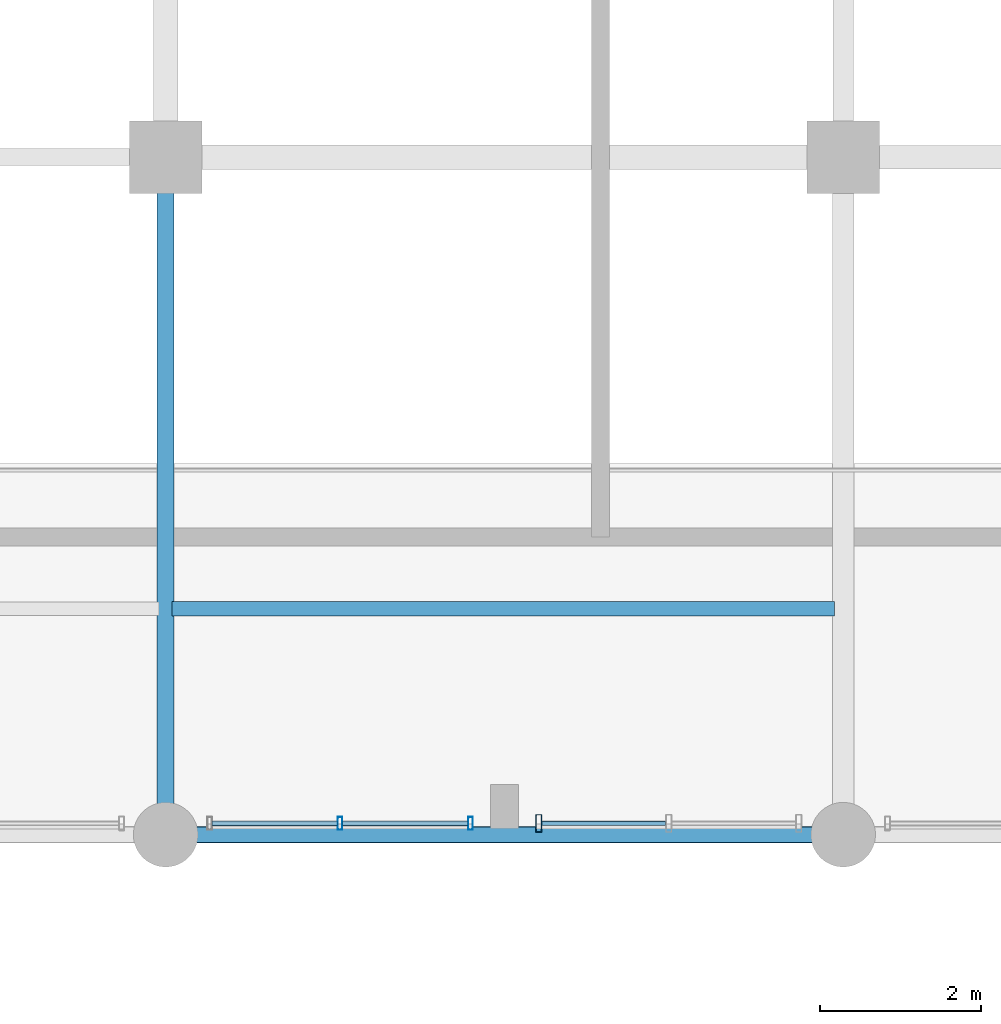
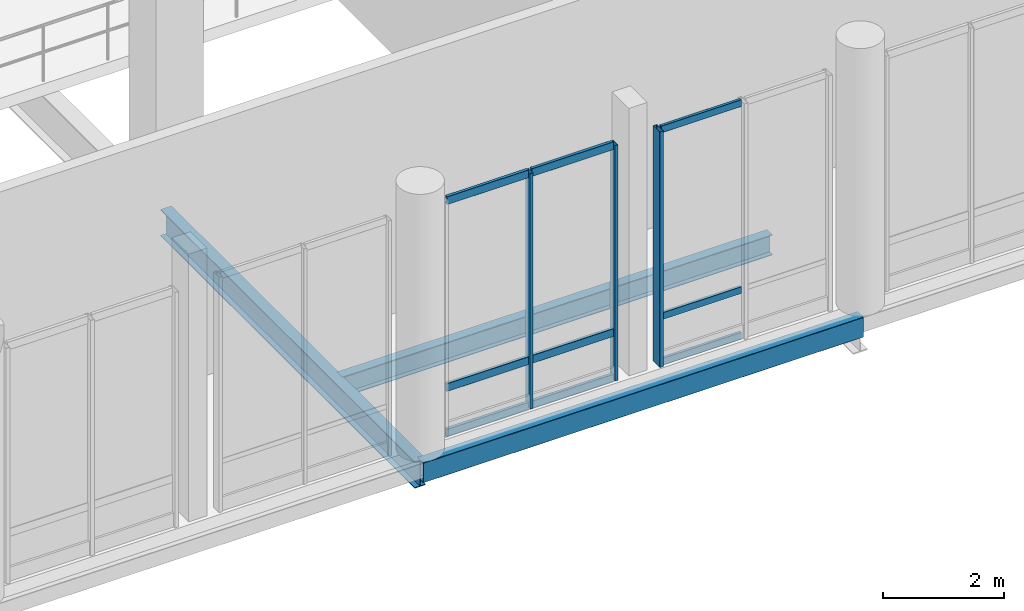
# One storey, part 47 of 128: 12 members, 3 beams, 2 elements without a shape of their own.
"""IFC4 building model written with IfcOpenShell, lengths in metres."""

import ifcopenshell
import ifcopenshell.guid

model = None  # the IFC model being written
_history = None  # IfcOwnerHistory: only IFC2X3 demands one
_inside = {}  # id of a spatial element -> (the spatial element, [elements in it])
_under = {}  # id of a project, library or spatial element -> (it, [spatial elements below it])
_declared = {}  # id of a project -> (the project, [libraries it declares])
_typed = {}  # id of a type object -> (the type object, [elements of that type])
_made_of = {}  # id of a material, layer set ... -> (it, [elements and type objects made of it])


def new_model(schema):
    """Start an empty IFC model of exactly this schema.

    Asked for "IFC4X3", IfcOpenShell would pick the latest addendum, in which some entities
    have other attributes; the version numbers below select the first issue.
    IFC2X3 requires an IfcOwnerHistory on every rooted entity: one is made here for all.
    """
    global model, _history
    if schema == "IFC4X3":
        model = ifcopenshell.file(schema_version=(4, 3, 0, 0))
    else:
        model = ifcopenshell.file(schema=schema)
    _inside.clear()
    _under.clear()
    _declared.clear()
    _typed.clear()
    _made_of.clear()
    _history = None
    if model.schema == "IFC2X3":
        org = make("IfcOrganization", Name="unknown")
        user = make(
            "IfcPersonAndOrganization",
            ThePerson=make("IfcPerson", FamilyName="unknown"),
            TheOrganization=org,
        )
        app = make(
            "IfcApplication",
            ApplicationDeveloper=org,
            Version="unknown",
            ApplicationFullName="unknown",
            ApplicationIdentifier="unknown",
        )
        _history = make(
            "IfcOwnerHistory",
            OwningUser=user,
            OwningApplication=app,
            ChangeAction="ADDED",
            CreationDate=0,
        )
    return model


def make(cls, **values):
    """One entity of the class cls with the attributes given. An attribute that is None is left unset."""
    return model.create_entity(
        cls, **{name: value for name, value in values.items() if value is not None}
    )


def rooted(cls, **values):
    """An entity with a GlobalId (a new one), such as an element, a storey or a relation."""
    return make(cls, GlobalId=ifcopenshell.guid.new(), OwnerHistory=_history, **values)


def si_unit(unit_type, name, prefix=None):
    """IfcSIUnit, for example si_unit("LENGTHUNIT", "METRE", prefix="MILLI")."""
    return make("IfcSIUnit", UnitType=unit_type, Prefix=prefix, Name=name)


def assignment(units):
    """IfcUnitAssignment: the units of a project."""
    return None if units is None else make("IfcUnitAssignment", Units=units)


def point(xyz):
    """IfcCartesianPoint."""
    return None if xyz is None else make("IfcCartesianPoint", Coordinates=xyz)


def direction(xyz):
    """IfcDirection."""
    return None if xyz is None else make("IfcDirection", DirectionRatios=xyz)


def frame(location, z_axis=None, x_axis=None):
    """IfcAxis2Placement3D, a coordinate frame: its origin and axes. An axis left out is left unset."""
    return make(
        "IfcAxis2Placement3D",
        Location=point(location),
        Axis=direction(z_axis),
        RefDirection=direction(x_axis),
    )


def frame_2d(location, x_axis=None):
    """IfcAxis2Placement2D, a coordinate frame in the plane: its origin and x axis."""
    return make(
        "IfcAxis2Placement2D", Location=point(location), RefDirection=direction(x_axis)
    )


def origin_with_axes():
    """The frame at (0, 0, 0) with the z axis (0, 0, 1) and the x axis (1, 0, 0) written out."""
    return frame((0.0, 0.0, 0.0), z_axis=(0.0, 0.0, 1.0), x_axis=(1.0, 0.0, 0.0))


def origin_2d_with_axis():
    """The frame at (0, 0) in the plane with the x axis (1, 0) written out."""
    return frame_2d((0.0, 0.0), x_axis=(1.0, 0.0))


def place(relative_to, where):
    """IfcLocalPlacement: puts the frame where relative to a parent placement (None: the world)."""
    return make(
        "IfcLocalPlacement", PlacementRelTo=relative_to, RelativePlacement=where
    )


def context(
    kind, dimensions, precision=None, world=None, true_north=None, identifier=None
):
    """IfcGeometricRepresentationContext, for example the 3D "Model" context."""
    return make(
        "IfcGeometricRepresentationContext",
        ContextIdentifier=identifier,
        ContextType=kind,
        CoordinateSpaceDimension=dimensions,
        Precision=precision,
        WorldCoordinateSystem=world,
        TrueNorth=true_north,
    )


def subcontext(parent, identifier, kind, view, scale=None):
    """IfcGeometricRepresentationSubContext, for example "Body" below "Model"."""
    return make(
        "IfcGeometricRepresentationSubContext",
        ContextIdentifier=identifier,
        ContextType=kind,
        ParentContext=parent,
        TargetScale=scale,
        TargetView=view,
    )


def project(units=None, contexts=None):
    """IfcProject with its units and contexts."""
    return rooted(
        "IfcProject",
        Name="project",
        RepresentationContexts=contexts,
        UnitsInContext=assignment(units),
    )


def spatial(cls, under=None, at=None, **own):
    """A site, building, storey or space (cls), placed at a placement, below another one or the project."""
    s = rooted(cls, ObjectPlacement=at, **own)
    if under is not None:
        _under.setdefault(under.id(), (under, []))[1].append(s)
    return s


def profile(cls, at=None, kind="AREA", **sizes):
    """A parametric profile (cls). Its sizes go by their IFC names, for example OverallWidth=200.0."""
    return make(cls, ProfileType=kind, Position=at, **sizes)


def hollow_rectangle(**sizes):
    """IfcRectangleHollowProfileDef."""
    return profile("IfcRectangleHollowProfileDef", **sizes)


def i_section(**sizes):
    """IfcIShapeProfileDef."""
    return profile("IfcIShapeProfileDef", **sizes)


def extrude(swept, where, along, depth):
    """IfcExtrudedAreaSolid: the profile swept, set in the frame where, extruded along a direction by depth."""
    return make(
        "IfcExtrudedAreaSolid",
        SweptArea=swept,
        Position=where,
        ExtrudedDirection=direction(along),
        Depth=depth,
    )


def shape(context_of_items, identifier, shape_type, items):
    """IfcShapeRepresentation: the items that make up one representation, for example the "Body"."""
    return make(
        "IfcShapeRepresentation",
        ContextOfItems=context_of_items,
        RepresentationIdentifier=identifier,
        RepresentationType=shape_type,
        Items=items,
    )


def material(Name=None, Category=None):
    """IfcMaterial."""
    return make("IfcMaterial", Name=Name, Category=Category)


def material_profile(
    of_material, cross_section, Name=None, Category=None, Priority=None
):
    """IfcMaterialProfile: a cross section and its material."""
    return make(
        "IfcMaterialProfile",
        Name=Name,
        Material=of_material,
        Profile=cross_section,
        Priority=Priority,
        Category=Category,
    )


def profile_set(profiles, Name=None, composite=None):
    """IfcMaterialProfileSet."""
    return make(
        "IfcMaterialProfileSet",
        Name=Name,
        MaterialProfiles=profiles,
        CompositeProfile=composite,
    )


def made_of(thing, what):
    """Note that an element or type object is made of a material, layer set ...; save() writes the relation."""
    if what is not None:
        _made_of.setdefault(what.id(), (what, []))[1].append(thing)
    return thing


def type_object(cls, material=None, **own):
    """A type object (cls), such as IfcWallType, which elements share."""
    return made_of(rooted(cls, **own), material)


def element(
    cls,
    number,
    at=None,
    inside=None,
    cuts=None,
    type_object=None,
    material=None,
    context=None,
    identifier="Body",
    shape_type=None,
    held_by="IfcProductDefinitionShape",
    body=None,
    shapes=None,
    **own,
):
    """One element of the class cls, such as IfcWall. Its Tag is "e" and its number.

    at: its placement. inside: the storey or other place that contains it. cuts: it is an
    opening in that element (IfcRelVoidsElement). A single representation is given by context,
    identifier, shape_type and body (its items); several are given by shapes. held_by: the class
    of the entity that holds the representations. save() writes the other relations.
    """
    e = rooted(cls, Tag="e%d" % number, ObjectPlacement=at, **own)
    if body is not None:
        shapes = [shape(context, identifier, shape_type, body)]
    if shapes is not None:
        e.Representation = make(held_by, Representations=shapes)
    if inside is not None:
        _inside.setdefault(inside.id(), (inside, []))[1].append(e)
    if cuts is not None:
        rooted(
            "IfcRelVoidsElement", RelatingBuildingElement=cuts, RelatedOpeningElement=e
        )
    if type_object is not None:
        _typed.setdefault(type_object.id(), (type_object, []))[1].append(e)
    return made_of(e, material)


def aggregate(whole, parts):
    """IfcRelAggregates: a whole, such as a stair, and the parts it consists of."""
    return rooted("IfcRelAggregates", RelatingObject=whole, RelatedObjects=parts)


def save(model, path):
    """Write the relations noted so far, then the file.

    IfcRelAggregates (storeys below a building ...), IfcRelContainedInSpatialStructure (elements
    in a storey), IfcRelDefinesByType, IfcRelAssociatesMaterial and IfcRelDeclares: one each for
    every whole, place, type object, material and project.
    """
    for whole, parts in _under.values():
        aggregate(whole, parts)
    for where, things in _inside.values():
        rooted(
            "IfcRelContainedInSpatialStructure",
            RelatedElements=things,
            RelatingStructure=where,
        )
    for kind, things in _typed.values():
        rooted("IfcRelDefinesByType", RelatedObjects=things, RelatingType=kind)
    for what, things in _made_of.values():
        rooted("IfcRelAssociatesMaterial", RelatedObjects=things, RelatingMaterial=what)
    for by, libraries in _declared.values():
        rooted("IfcRelDeclares", RelatingContext=by, RelatedDefinitions=libraries)
    model.write(path)


model = new_model("IFC4")

# Units and contexts
model_context = context("Model", 3, precision=1e-05, world=origin_with_axes(), true_north=direction((0.0, 1.0)))
body_context = subcontext(model_context, "Body", "Model", "MODEL_VIEW")
ifc_project = project(units=[si_unit("LENGTHUNIT", "METRE"), si_unit("AREAUNIT", "SQUARE_METRE"), si_unit("VOLUMEUNIT", "CUBIC_METRE"), si_unit("PLANEANGLEUNIT", "RADIAN"), si_unit("MASSUNIT", "GRAM", prefix="KILO"), si_unit("THERMODYNAMICTEMPERATUREUNIT", "KELVIN")], contexts=[model_context])

# Site, building, storey
site_placement = place(None, origin_with_axes())
site = spatial("IfcSite", under=ifc_project, at=site_placement, CompositionType="ELEMENT")
building_placement = place(site_placement, origin_with_axes())
building = spatial("IfcBuilding", under=site, at=building_placement, Name="Montbau Bow Law Courts", CompositionType="ELEMENT")
storey_placement = place(building_placement, frame((0.0, 0.0, 5.4), z_axis=(0.0, 0.0, 1.0), x_axis=(1.0, 0.0, 0.0)))
storey = spatial("IfcBuildingStorey", under=building, at=storey_placement, Name="L01", CompositionType="ELEMENT", Elevation=5.4)

# Beams
ifc_material_1 = material(Name="Steel CSA G40.21 Grade 350W (350 MPa)", Category="steel")
ifc_material_profile_1 = material_profile(ifc_material_1, i_section(OverallWidth=0.21, OverallDepth=0.537, WebThickness=0.0109, FlangeThickness=0.0174, at=origin_2d_with_axis()), Name="W530X101", Category="Main", Priority=0)
ifc_profile_set_1 = profile_set([ifc_material_profile_1], Name="Steel CSA G40.21 Grade 350W (350 MPa)")
beam_type_1 = type_object("IfcBeamType", Name="B-FLR-06", PredefinedType="BEAM", material=ifc_profile_set_1)
beam_1_placement = place(None, frame((80.4, 22.2, 4.891), z_axis=(0.0, 1.0, 0.0), x_axis=(-1.0, 0.0, 0.0)))
element("IfcBeam", 1, at=beam_1_placement, inside=storey, type_object=beam_type_1, Name="BM-L01-S1088:bm2_1091", PredefinedType="BEAM", context=body_context, shape_type="SweptSolid", body=[
    extrude(i_section(OverallWidth=0.21, OverallDepth=0.537, WebThickness=0.0109, FlangeThickness=0.0174, at=origin_2d_with_axis()), origin_with_axes(), (0.0, 0.0, 1.0), 8.4),
])
ifc_material_profile_2 = material_profile(ifc_material_1, i_section(OverallWidth=0.179, OverallDepth=0.41, WebThickness=0.0088, FlangeThickness=0.0144, at=origin_2d_with_axis()), Name="W410X67", Category="Main", Priority=0)
ifc_profile_set_2 = profile_set([ifc_material_profile_2], Name="Steel CSA G40.21 Grade 350W (350 MPa)")
beam_type_2 = type_object("IfcBeamType", Name="B-JST-02", PredefinedType="JOIST", material=ifc_profile_set_2)
beam_2_placement = place(None, frame((80.481, 25.0, 4.955), z_axis=(1.0, 0.0, 0.0), x_axis=(0.0, 1.0, 0.0)))
element("IfcBeam", 2, at=beam_2_placement, inside=storey, type_object=beam_type_2, Name="JST-L01-S0553:jst2_0553", PredefinedType="JOIST", context=body_context, shape_type="SweptSolid", body=[
    extrude(i_section(OverallWidth=0.179, OverallDepth=0.41, WebThickness=0.0088, FlangeThickness=0.0144, at=origin_2d_with_axis()), origin_with_axes(), (0.0, 0.0, 1.0), 8.21),
])
ifc_material_2 = material(Name="Steel CSA G40.21 Grade 350WT (350 MPa)", Category="steel")
ifc_material_profile_3 = material_profile(ifc_material_2, hollow_rectangle(XDim=0.203, YDim=0.406, WallThickness=0.0127, InnerFilletRadius=0.0254, OuterFilletRadius=0.0127, at=origin_2d_with_axis()), Name="HSS406X203X13", Category="Main", Priority=0)
ifc_profile_set_3 = profile_set([ifc_material_profile_3], Name="Steel CSA G40.21 Grade 350WT (350 MPa)")
beam_type_3 = type_object("IfcBeamType", Name="B-SPN-01", PredefinedType="SPANDREL", material=ifc_profile_set_3)
beam_3_placement = place(None, frame((80.4, 22.2, 4.957), z_axis=(1.0, 0.0, 0.0), x_axis=(0.0, 1.0, 0.0)))
element("IfcBeam", 3, at=beam_3_placement, inside=storey, type_object=beam_type_3, Name="SPN-L01-S1065:bm2_1068", PredefinedType="SPANDREL", context=body_context, shape_type="SweptSolid", body=[
    extrude(hollow_rectangle(XDim=0.203, YDim=0.406, WallThickness=0.0127, InnerFilletRadius=0.0254, OuterFilletRadius=0.0127, at=origin_2d_with_axis()), origin_with_axes(), (0.0, 0.0, 1.0), 8.4),
])

# Curtain wall, member
ifc_material_3 = material(Name="Thermally Broken Extruded Aluminium AA 6063-T6", Category="aluminium")
curtain_wall_type = type_object("IfcCurtainWallType", Name="CW-WGC-01", PredefinedType="NOTDEFINED", material=ifc_material_3)
curtain_wall_1_placement = place(None, frame((84.99, 22.34, 5.4), z_axis=(0.0, 0.0, 1.0), x_axis=(1.0, 0.0, 0.0)))
curtain_wall_1 = element("IfcCurtainWall", 4, at=curtain_wall_1_placement, inside=storey, type_object=curtain_wall_type, Name="CW-L01-405:cw_0405", PredefinedType="NOTDEFINED")
ifc_material_profile_4 = material_profile(ifc_material_3, hollow_rectangle(XDim=0.075, YDim=0.22, WallThickness=0.005, InnerFilletRadius=0.01, OuterFilletRadius=0.005, at=origin_2d_with_axis()), Name="CWM-220X75", Category="Main", Priority=0)
ifc_profile_set_4 = profile_set([ifc_material_profile_4], Name="Thermally Broken Extruded Aluminium AA 6063-T6")
member_type_1 = type_object("IfcMemberType", Name="M-MUL-01", PredefinedType="MULLION", material=ifc_profile_set_4)
member_1_placement = place(None, frame((85.027, 22.34, 5.4), z_axis=(0.0, 0.0, 1.0), x_axis=(1.0, 0.0, 0.0)))
member_1 = element("IfcMember", 5, at=member_1_placement, type_object=member_type_1, Name="CW-L01-405-M01:cw_0405_M01", PredefinedType="MULLION", context=body_context, shape_type="SweptSolid", body=[
    extrude(hollow_rectangle(XDim=0.075, YDim=0.22, WallThickness=0.005, InnerFilletRadius=0.01, OuterFilletRadius=0.005, at=origin_2d_with_axis()), origin_with_axes(), (0.0, 0.0, 1.0), 4.75),
])

# Curtain wall, members
curtain_wall_2_placement = place(None, frame((80.915, 22.34, 5.4), z_axis=(0.0, 0.0, 1.0), x_axis=(1.0, 0.0, 0.0)))
curtain_wall_2 = element("IfcCurtainWall", 6, at=curtain_wall_2_placement, inside=storey, type_object=curtain_wall_type, Name="CW-L01-404:cw_0404", PredefinedType="NOTDEFINED")
ifc_material_profile_5 = material_profile(ifc_material_3, hollow_rectangle(XDim=0.06, YDim=0.16, WallThickness=0.004, InnerFilletRadius=0.008, OuterFilletRadius=0.004, at=origin_2d_with_axis()), Name="CWM-160X60", Category="Main", Priority=0)
ifc_profile_set_5 = profile_set([ifc_material_profile_5], Name="Thermally Broken Extruded Aluminium AA 6063-T6")
member_type_2 = type_object("IfcMemberType", Name="M-MUL-03", PredefinedType="MULLION", material=ifc_profile_set_5)
member_2_placement = place(None, frame((82.562, 22.34, 5.4), z_axis=(0.0, 0.0, 1.0), x_axis=(1.0, 0.0, 0.0)))
member_2 = element("IfcMember", 7, at=member_2_placement, type_object=member_type_2, Name="CW-L01-404-M02:cw_0404_M02", PredefinedType="MULLION", context=body_context, shape_type="SweptSolid", body=[
    extrude(hollow_rectangle(XDim=0.06, YDim=0.16, WallThickness=0.004, InnerFilletRadius=0.008, OuterFilletRadius=0.004, at=origin_2d_with_axis()), origin_with_axes(), (0.0, 0.0, 1.0), 4.75),
])
member_3_placement = place(None, frame((84.18, 22.34, 5.4), z_axis=(0.0, 0.0, 1.0), x_axis=(1.0, 0.0, 0.0)))
member_3 = element("IfcMember", 8, at=member_3_placement, type_object=member_type_2, Name="CW-L01-404-M03:cw_0404_M03", PredefinedType="MULLION", context=body_context, shape_type="SweptSolid", body=[
    extrude(hollow_rectangle(XDim=0.06, YDim=0.16, WallThickness=0.004, InnerFilletRadius=0.008, OuterFilletRadius=0.004, at=origin_2d_with_axis()), origin_with_axes(), (0.0, 0.0, 1.0), 4.75),
])
ifc_material_profile_6 = material_profile(ifc_material_3, hollow_rectangle(XDim=0.06, YDim=0.16, WallThickness=0.004, InnerFilletRadius=0.008, OuterFilletRadius=0.004, at=origin_2d_with_axis()), Name="CWT-160X60", Category="Main", Priority=0)
ifc_profile_set_6 = profile_set([ifc_material_profile_6], Name="Thermally Broken Extruded Aluminium AA 6063-T6")
member_type_3 = type_object("IfcMemberType", Name="M-TRN-01", PredefinedType="USERDEFINED", material=ifc_profile_set_6)
member_4_placement = place(None, frame((80.977, 22.34, 5.43), z_axis=(1.0, 0.0, 0.0), x_axis=(0.0, 1.0, 0.0)))
member_4 = element("IfcMember", 9, at=member_4_placement, type_object=member_type_3, Name="CW-L01-404-T01-1:cw_0404_T01_1", ObjectType="TRANSOM", PredefinedType="USERDEFINED", context=body_context, shape_type="SweptSolid", body=[
    extrude(hollow_rectangle(XDim=0.06, YDim=0.16, WallThickness=0.004, InnerFilletRadius=0.008, OuterFilletRadius=0.004, at=origin_2d_with_axis()), origin_with_axes(), (0.0, 0.0, 1.0), 1.553),
])
member_5_placement = place(None, frame((80.977, 22.34, 6.35), z_axis=(1.0, 0.0, 0.0), x_axis=(0.0, 1.0, 0.0)))
member_5 = element("IfcMember", 10, at=member_5_placement, type_object=member_type_3, Name="CW-L01-404-T01-2:cw_0404_T01_2", ObjectType="TRANSOM", PredefinedType="USERDEFINED", context=body_context, shape_type="SweptSolid", body=[
    extrude(hollow_rectangle(XDim=0.06, YDim=0.16, WallThickness=0.004, InnerFilletRadius=0.008, OuterFilletRadius=0.004, at=origin_2d_with_axis()), origin_with_axes(), (0.0, 0.0, 1.0), 1.553),
])
member_6_placement = place(None, frame((80.977, 22.34, 10.12), z_axis=(1.0, 0.0, 0.0), x_axis=(0.0, 1.0, 0.0)))
member_6 = element("IfcMember", 11, at=member_6_placement, type_object=member_type_3, Name="CW-L01-404-T01-3:cw_0404_T01_3", ObjectType="TRANSOM", PredefinedType="USERDEFINED", context=body_context, shape_type="SweptSolid", body=[
    extrude(hollow_rectangle(XDim=0.06, YDim=0.16, WallThickness=0.004, InnerFilletRadius=0.008, OuterFilletRadius=0.004, at=origin_2d_with_axis()), origin_with_axes(), (0.0, 0.0, 1.0), 1.553),
])
member_7_placement = place(None, frame((82.594, 22.34, 5.43), z_axis=(1.0, 0.0, 0.0), x_axis=(0.0, 1.0, 0.0)))
member_7 = element("IfcMember", 12, at=member_7_placement, type_object=member_type_3, Name="CW-L01-404-T02-1:cw_0404_T02_1", ObjectType="TRANSOM", PredefinedType="USERDEFINED", context=body_context, shape_type="SweptSolid", body=[
    extrude(hollow_rectangle(XDim=0.06, YDim=0.16, WallThickness=0.004, InnerFilletRadius=0.008, OuterFilletRadius=0.004, at=origin_2d_with_axis()), origin_with_axes(), (0.0, 0.0, 1.0), 1.554),
])
member_8_placement = place(None, frame((82.594, 22.34, 6.35), z_axis=(1.0, 0.0, 0.0), x_axis=(0.0, 1.0, 0.0)))
member_8 = element("IfcMember", 13, at=member_8_placement, type_object=member_type_3, Name="CW-L01-404-T02-2:cw_0404_T02_2", ObjectType="TRANSOM", PredefinedType="USERDEFINED", context=body_context, shape_type="SweptSolid", body=[
    extrude(hollow_rectangle(XDim=0.06, YDim=0.16, WallThickness=0.004, InnerFilletRadius=0.008, OuterFilletRadius=0.004, at=origin_2d_with_axis()), origin_with_axes(), (0.0, 0.0, 1.0), 1.554),
])
member_9_placement = place(None, frame((82.594, 22.34, 10.12), z_axis=(1.0, 0.0, 0.0), x_axis=(0.0, 1.0, 0.0)))
member_9 = element("IfcMember", 14, at=member_9_placement, type_object=member_type_3, Name="CW-L01-404-T02-3:cw_0404_T02_3", ObjectType="TRANSOM", PredefinedType="USERDEFINED", context=body_context, shape_type="SweptSolid", body=[
    extrude(hollow_rectangle(XDim=0.06, YDim=0.16, WallThickness=0.004, InnerFilletRadius=0.008, OuterFilletRadius=0.004, at=origin_2d_with_axis()), origin_with_axes(), (0.0, 0.0, 1.0), 1.554),
])
aggregate(curtain_wall_2, [member_2, member_3, member_4, member_5, member_6, member_7, member_8, member_9])

# Member
ifc_material_profile_7 = material_profile(ifc_material_3, hollow_rectangle(XDim=0.055, YDim=0.14, WallThickness=0.004, InnerFilletRadius=0.008, OuterFilletRadius=0.004, at=origin_2d_with_axis()), Name="CWT-140X55", Category="Main", Priority=0)
ifc_profile_set_7 = profile_set([ifc_material_profile_7], Name="Thermally Broken Extruded Aluminium AA 6063-T6")
member_type_4 = type_object("IfcMemberType", Name="M-TRN-02", PredefinedType="USERDEFINED", material=ifc_profile_set_7)
member_10_placement = place(None, frame((85.066, 22.34, 5.428), z_axis=(1.0, 0.0, 0.0), x_axis=(0.0, 1.0, 0.0)))
member_10 = element("IfcMember", 15, at=member_10_placement, type_object=member_type_4, Name="CW-L01-405-T01-1:cw_0405_T01_1", ObjectType="TRANSOM", PredefinedType="USERDEFINED", context=body_context, shape_type="SweptSolid", body=[
    extrude(hollow_rectangle(XDim=0.055, YDim=0.14, WallThickness=0.004, InnerFilletRadius=0.008, OuterFilletRadius=0.004, at=origin_2d_with_axis()), origin_with_axes(), (0.0, 0.0, 1.0), 1.532),
])

member_11_placement = place(None, frame((85.066, 22.34, 6.35), z_axis=(1.0, 0.0, 0.0), x_axis=(0.0, 1.0, 0.0)))
member_11 = element("IfcMember", 16, at=member_11_placement, type_object=member_type_4, Name="CW-L01-405-T01-2:cw_0405_T01_2", ObjectType="TRANSOM", PredefinedType="USERDEFINED", context=body_context, shape_type="SweptSolid", body=[
    extrude(hollow_rectangle(XDim=0.055, YDim=0.14, WallThickness=0.004, InnerFilletRadius=0.008, OuterFilletRadius=0.004, at=origin_2d_with_axis()), origin_with_axes(), (0.0, 0.0, 1.0), 1.532),
])

member_12_placement = place(None, frame((85.066, 22.34, 10.123), z_axis=(1.0, 0.0, 0.0), x_axis=(0.0, 1.0, 0.0)))
member_12 = element("IfcMember", 17, at=member_12_placement, type_object=member_type_4, Name="CW-L01-405-T01-3:cw_0405_T01_3", ObjectType="TRANSOM", PredefinedType="USERDEFINED", context=body_context, shape_type="SweptSolid", body=[
    extrude(hollow_rectangle(XDim=0.055, YDim=0.14, WallThickness=0.004, InnerFilletRadius=0.008, OuterFilletRadius=0.004, at=origin_2d_with_axis()), origin_with_axes(), (0.0, 0.0, 1.0), 1.532),
])

aggregate(curtain_wall_1, [member_1, member_10, member_11, member_12])

save(model, "model.ifc")
